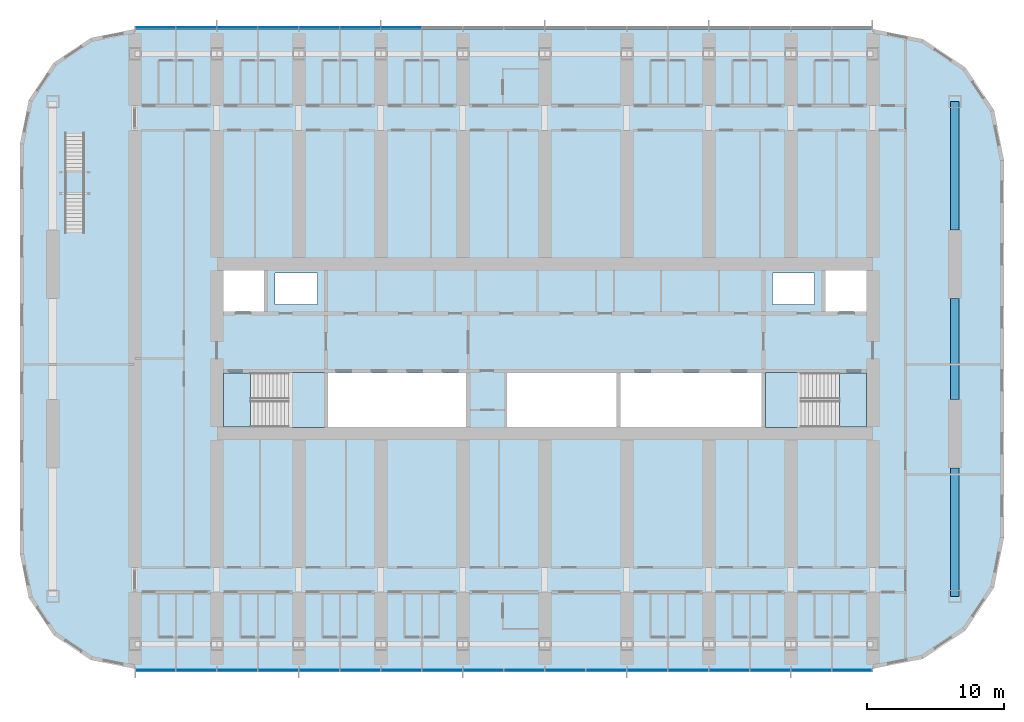
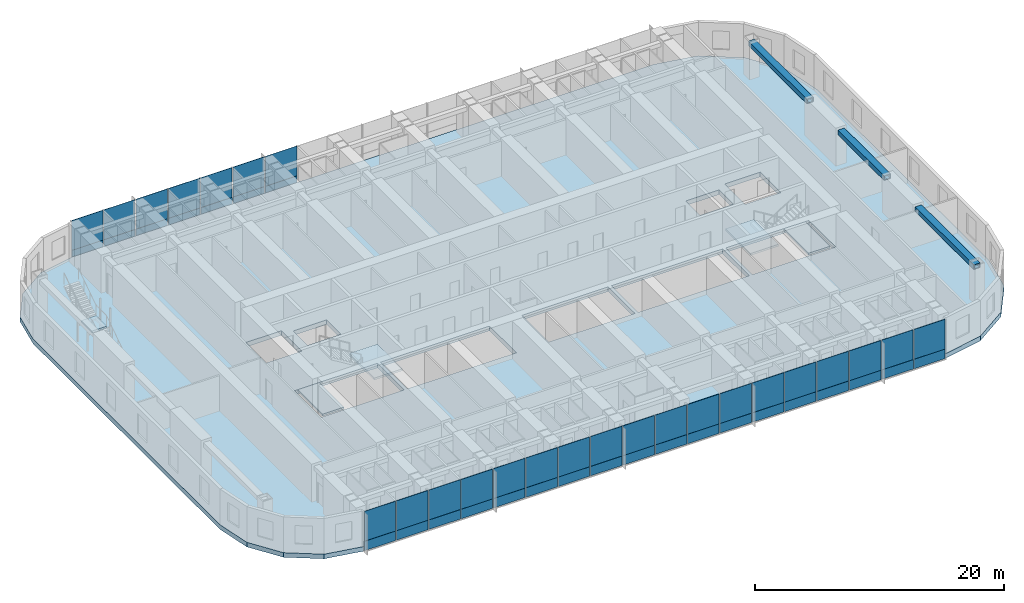
# One storey, part 8 of 26: 50 plates, 6 slabs, 3 beams, 5 elements without a shape of their own.
"""IFC4 building model written with IfcOpenShell, lengths in metres."""

from ifc_helpers import new_model, si_unit, direction, frame, origin, origin_2d, place, context, subcontext, project, spatial, polyline, rectangle, hollow_rectangle, outline, extrude, material, layer, layer_set, material_profile, profile_set, type_object, element, aggregate, save


model = new_model("IFC4")

# Units and contexts
model_context = context("Model", 3, precision=1e-05, world=origin(), true_north=direction((0.0, 1.0)))
body_context = subcontext(model_context, "Body", "Model", "MODEL_VIEW")
ifc_project = project(units=[si_unit("LENGTHUNIT", "METRE"), si_unit("AREAUNIT", "SQUARE_METRE"), si_unit("VOLUMEUNIT", "CUBIC_METRE"), si_unit("PLANEANGLEUNIT", "RADIAN"), si_unit("MASSUNIT", "GRAM", prefix="KILO")], contexts=[model_context])

# Site, building, storey
site_placement = place(None, origin())
site = spatial("IfcSite", under=ifc_project, at=site_placement, CompositionType="ELEMENT")
building_placement = place(site_placement, origin())
building = spatial("IfcBuilding", under=site, at=building_placement, Name="Orbita Commons", CompositionType="ELEMENT")
storey_placement = place(building_placement, frame((0.0, 0.0, 114.39990234375)))
storey = spatial("IfcBuildingStorey", under=building, at=storey_placement, Name="L28", CompositionType="ELEMENT", Elevation=114.39990234375)

# Beams
ifc_material_1 = material(Name="Steel ASTM A572 Gr 50 welded plate", Category="steel")
ifc_material_profile = material_profile(ifc_material_1, hollow_rectangle(XDim=0.60009765625, YDim=0.449951171875, WallThickness=0.06005859375, at=origin_2d()), Name="BOX 450x600x60")
ifc_profile_set = profile_set([ifc_material_profile], Name="Steel ASTM A572 Gr 50 welded plate")
beam_type = type_object("IfcBeamType", Name="Steel end frame link BOX 450x600x60", PredefinedType="BEAM", material=ifc_profile_set)
beam_1_placement = place(storey_placement, frame((72.0, 13.89990234375, 3.275146484375), z_axis=(0.0, 1.0, 0.0), x_axis=(-1.0, 0.0, 0.0)))
element("IfcBeam", 1, at=beam_1_placement, inside=storey, type_object=beam_type, Name="End frame beam 13 B-C L28", PredefinedType="BEAM", context=body_context, shape_type="SweptSolid", body=[
    extrude(hollow_rectangle(XDim=0.60009765625, YDim=0.449951171875, WallThickness=0.06005859375, at=origin_2d()), origin(), (0.0, 0.0, 1.0), 9.400146484375),
])
beam_2_placement = place(storey_placement, frame((72.0, 28.300048828125, 3.275146484375), z_axis=(0.0, 1.0, 0.0), x_axis=(-1.0, 0.0, 0.0)))
element("IfcBeam", 2, at=beam_2_placement, inside=storey, type_object=beam_type, Name="End frame beam 13 C-D L28", PredefinedType="BEAM", context=body_context, shape_type="SweptSolid", body=[
    extrude(hollow_rectangle(XDim=0.60009765625, YDim=0.449951171875, WallThickness=0.06005859375, at=origin_2d()), origin(), (0.0, 0.0, 1.0), 7.39990234375),
])
beam_3_placement = place(storey_placement, frame((72.0, 40.699951171875, 3.275146484375), z_axis=(0.0, 1.0, 0.0), x_axis=(-1.0, 0.0, 0.0)))
element("IfcBeam", 3, at=beam_3_placement, inside=storey, type_object=beam_type, Name="End frame beam 13 D-E L28", PredefinedType="BEAM", context=body_context, shape_type="SweptSolid", body=[
    extrude(hollow_rectangle(XDim=0.60009765625, YDim=0.449951171875, WallThickness=0.06005859375, at=origin_2d()), origin(), (0.0, 0.0, 1.0), 9.400146484375),
])

# Stair, slab
ifc_material_2 = material(Name="Steel ASTM A992 stringers, precast concrete C40/50 terrazzo treads", Category="concrete")
stair_type_1 = type_object("IfcStairType", Name="Feature stair 22 risers 170 x 280 x 1400", PredefinedType="STRAIGHT_RUN_STAIR", material=ifc_material_2)
stair_1_placement = place(storey_placement, origin())
stair_1 = element("IfcStair", 4, at=stair_1_placement, inside=storey, type_object=stair_type_1, Name="Neighbourhood stair L28 to L29", PredefinedType="STRAIGHT_RUN_STAIR")
ifc_material_3 = material(Name="Concrete C40/50", Category="concrete")
ifc_layer_1 = layer(ifc_material_3, 0.199951171875)
ifc_layer_set_1 = layer_set([ifc_layer_1], Name="Concrete C40/50")
slab_type_1 = type_object("IfcSlabType", Name="Feature stair landing 200", PredefinedType="LANDING", material=ifc_layer_set_1)
slab_1_placement = place(storey_placement, frame((0.0, 0.0, 1.675048828125)))
slab_1 = element("IfcSlab", 5, at=slab_1_placement, type_object=slab_type_1, Name="FS landing 1", PredefinedType="LANDING", context=body_context, shape_type="SweptSolid", body=[
    extrude(outline(polyline([(6.89990234375, 43.300048828125), (8.300048828125, 43.300048828125), (8.300048828125, 45.010009765625), (6.89990234375, 45.010009765625), (6.89990234375, 43.300048828125)])), origin(), (0.0, 0.0, 1.0), 0.199951171875),
])
aggregate(stair_1, [slab_1])

# Slab
ifc_material_4 = material(Name="Concrete C40/50", Category="concrete")
ifc_layer_2 = layer(ifc_material_4, 0.449951171875)
ifc_layer_set_2 = layer_set([ifc_layer_2], Name="Concrete C40/50")
slab_type_2 = type_object("IfcSlabType", Name="Floor slab 450", PredefinedType="FLOOR", material=ifc_layer_set_2)
slab_2_placement = place(storey_placement, frame((0.0, 0.0, -0.449951171875)))
element("IfcSlab", 6, at=slab_2_placement, inside=storey, type_object=slab_type_2, Name="Floor slab L28", PredefinedType="FLOOR", context=body_context, shape_type="SweptSolid", body=[
    extrude(outline(polyline([(66.0, 8.60009765625), (69.673828125, 9.330810546875), (72.788330078125, 11.411865234375), (74.869140625, 14.526123046875), (75.60009765625, 18.199951171875), (75.60009765625, 45.800048828125), (74.869140625, 49.473876953125), (72.788330078125, 52.588134765625), (69.673828125, 54.669189453125), (66.0, 55.39990234375), (12.0, 55.39990234375), (8.785400390625, 54.760498046875), (6.060302734375, 52.939697265625), (4.239501953125, 50.214599609375), (3.60009765625, 47.0), (3.60009765625, 17.0), (4.239501953125, 13.785400390625), (6.060302734375, 11.060302734375), (8.785400390625, 9.239501953125), (12.0, 8.60009765625), (66.0, 8.60009765625)]), holes=[polyline([(18.14990234375, 25.949951171875), (25.85009765625, 25.949951171875), (25.85009765625, 30.25), (18.14990234375, 30.25), (18.14990234375, 25.949951171875)]), polyline([(58.14990234375, 25.949951171875), (65.85009765625, 25.949951171875), (65.85009765625, 30.25), (58.14990234375, 30.25), (58.14990234375, 25.949951171875)]), polyline([(18.14990234375, 34.75), (21.449951171875, 34.75), (21.449951171875, 38.050048828125), (18.14990234375, 38.050048828125), (18.14990234375, 34.75)]), polyline([(62.550048828125, 34.75), (65.85009765625, 34.75), (65.85009765625, 38.050048828125), (62.550048828125, 38.050048828125), (62.550048828125, 34.75)]), polyline([(22.25, 35.25), (25.35009765625, 35.25), (25.35009765625, 37.550048828125), (22.25, 37.550048828125), (22.25, 35.25)]), polyline([(58.64990234375, 35.25), (61.75, 35.25), (61.75, 37.550048828125), (58.64990234375, 37.550048828125), (58.64990234375, 35.25)]), polyline([(26.14990234375, 25.949951171875), (36.25, 25.949951171875), (36.25, 30.25), (26.14990234375, 30.25), (26.14990234375, 25.949951171875)]), polyline([(39.25, 25.949951171875), (47.25, 25.949951171875), (47.25, 30.25), (39.25, 30.25), (39.25, 25.949951171875)]), polyline([(47.550048828125, 25.949951171875), (57.85009765625, 25.949951171875), (57.85009765625, 30.25), (47.550048828125, 30.25), (47.550048828125, 25.949951171875)])]), origin(), (0.0, 0.0, 1.0), 0.449951171875),
])

# Curtain wall, plates
ifc_material_5 = material(Name="Anodised aluminium frame, pale silver", Category="aluminium")
curtain_wall_type = type_object("IfcCurtainWallType", Name="Unitised curtain wall CW-T, vision and spandrel", PredefinedType="NOTDEFINED", material=ifc_material_5)
curtain_wall_1_placement = place(storey_placement, origin())
curtain_wall_1 = element("IfcCurtainWall", 7, at=curtain_wall_1_placement, inside=storey, type_object=curtain_wall_type, Name="Curtain wall south L28", PredefinedType="NOTDEFINED")
ifc_material_6 = material(Name="Anodised aluminium sheet on mineral wool", Category="aluminium")
ifc_layer_3 = layer(ifc_material_6, 0.050048828125)
ifc_layer_set_3 = layer_set([ifc_layer_3], Name="Anodised aluminium sheet on mineral wool")
plate_type_1 = type_object("IfcPlateType", Name="Spandrel panel, pale aluminium over insulation 50", PredefinedType="CURTAIN_PANEL", material=ifc_layer_set_3)
plate_1_placement = place(storey_placement, frame((13.52001953125, 8.489990234375, -0.35009765625), z_axis=(0.0, 0.0, 1.0), x_axis=(1.0, 0.0, 0.0)))
plate_1 = element("IfcPlate", 8, at=plate_1_placement, type_object=plate_type_1, Name="Panel 1.1 CW-L28-S", PredefinedType="CURTAIN_PANEL", context=body_context, shape_type="SweptSolid", body=[
    extrude(rectangle(XDim=2.8798828125, YDim=0.050048828125, at=origin_2d()), origin(), (0.0, 0.0, 1.0), 0.927001953125),
])
plate_2_placement = place(storey_placement, frame((16.5, 8.489990234375, -0.35009765625), z_axis=(0.0, 0.0, 1.0), x_axis=(1.0, 0.0, 0.0)))
plate_2 = element("IfcPlate", 9, at=plate_2_placement, type_object=plate_type_1, Name="Panel 2.1 CW-L28-S", PredefinedType="CURTAIN_PANEL", context=body_context, shape_type="SweptSolid", body=[
    extrude(rectangle(XDim=2.919921875, YDim=0.050048828125, at=origin_2d()), origin(), (0.0, 0.0, 1.0), 0.927001953125),
])
plate_3_placement = place(storey_placement, frame((19.5, 8.489990234375, -0.35009765625), z_axis=(0.0, 0.0, 1.0), x_axis=(1.0, 0.0, 0.0)))
plate_3 = element("IfcPlate", 10, at=plate_3_placement, type_object=plate_type_1, Name="Panel 3.1 CW-L28-S", PredefinedType="CURTAIN_PANEL", context=body_context, shape_type="SweptSolid", body=[
    extrude(rectangle(XDim=2.919921875, YDim=0.050048828125, at=origin_2d()), origin(), (0.0, 0.0, 1.0), 0.927001953125),
])
plate_4_placement = place(storey_placement, frame((22.5, 8.489990234375, -0.35009765625), z_axis=(0.0, 0.0, 1.0), x_axis=(1.0, 0.0, 0.0)))
plate_4 = element("IfcPlate", 11, at=plate_4_placement, type_object=plate_type_1, Name="Panel 4.1 CW-L28-S", PredefinedType="CURTAIN_PANEL", context=body_context, shape_type="SweptSolid", body=[
    extrude(rectangle(XDim=2.919921875, YDim=0.050048828125, at=origin_2d()), origin(), (0.0, 0.0, 1.0), 0.927001953125),
])
plate_5_placement = place(storey_placement, frame((25.5, 8.489990234375, -0.35009765625), z_axis=(0.0, 0.0, 1.0), x_axis=(1.0, 0.0, 0.0)))
plate_5 = element("IfcPlate", 12, at=plate_5_placement, type_object=plate_type_1, Name="Panel 5.1 CW-L28-S", PredefinedType="CURTAIN_PANEL", context=body_context, shape_type="SweptSolid", body=[
    extrude(rectangle(XDim=2.919921875, YDim=0.050048828125, at=origin_2d()), origin(), (0.0, 0.0, 1.0), 0.927001953125),
])
plate_6_placement = place(storey_placement, frame((28.5, 8.489990234375, -0.35009765625), z_axis=(0.0, 0.0, 1.0), x_axis=(1.0, 0.0, 0.0)))
plate_6 = element("IfcPlate", 13, at=plate_6_placement, type_object=plate_type_1, Name="Panel 6.1 CW-L28-S", PredefinedType="CURTAIN_PANEL", context=body_context, shape_type="SweptSolid", body=[
    extrude(rectangle(XDim=2.919921875, YDim=0.050048828125, at=origin_2d()), origin(), (0.0, 0.0, 1.0), 0.927001953125),
])
plate_7_placement = place(storey_placement, frame((31.5, 8.489990234375, -0.35009765625), z_axis=(0.0, 0.0, 1.0), x_axis=(1.0, 0.0, 0.0)))
plate_7 = element("IfcPlate", 14, at=plate_7_placement, type_object=plate_type_1, Name="Panel 7.1 CW-L28-S", PredefinedType="CURTAIN_PANEL", context=body_context, shape_type="SweptSolid", body=[
    extrude(rectangle(XDim=2.919921875, YDim=0.050048828125, at=origin_2d()), origin(), (0.0, 0.0, 1.0), 0.927001953125),
])
plate_8_placement = place(storey_placement, frame((34.5, 8.489990234375, -0.35009765625), z_axis=(0.0, 0.0, 1.0), x_axis=(1.0, 0.0, 0.0)))
plate_8 = element("IfcPlate", 15, at=plate_8_placement, type_object=plate_type_1, Name="Panel 8.1 CW-L28-S", PredefinedType="CURTAIN_PANEL", context=body_context, shape_type="SweptSolid", body=[
    extrude(rectangle(XDim=2.919921875, YDim=0.050048828125, at=origin_2d()), origin(), (0.0, 0.0, 1.0), 0.927001953125),
])
plate_9_placement = place(storey_placement, frame((37.5, 8.489990234375, -0.35009765625), z_axis=(0.0, 0.0, 1.0), x_axis=(1.0, 0.0, 0.0)))
plate_9 = element("IfcPlate", 16, at=plate_9_placement, type_object=plate_type_1, Name="Panel 9.1 CW-L28-S", PredefinedType="CURTAIN_PANEL", context=body_context, shape_type="SweptSolid", body=[
    extrude(rectangle(XDim=2.919921875, YDim=0.050048828125, at=origin_2d()), origin(), (0.0, 0.0, 1.0), 0.927001953125),
])
plate_10_placement = place(storey_placement, frame((40.5, 8.489990234375, -0.35009765625), z_axis=(0.0, 0.0, 1.0), x_axis=(1.0, 0.0, 0.0)))
plate_10 = element("IfcPlate", 17, at=plate_10_placement, type_object=plate_type_1, Name="Panel 10.1 CW-L28-S", PredefinedType="CURTAIN_PANEL", context=body_context, shape_type="SweptSolid", body=[
    extrude(rectangle(XDim=2.919921875, YDim=0.050048828125, at=origin_2d()), origin(), (0.0, 0.0, 1.0), 0.927001953125),
])
plate_11_placement = place(storey_placement, frame((43.5, 8.489990234375, -0.35009765625), z_axis=(0.0, 0.0, 1.0), x_axis=(1.0, 0.0, 0.0)))
plate_11 = element("IfcPlate", 18, at=plate_11_placement, type_object=plate_type_1, Name="Panel 11.1 CW-L28-S", PredefinedType="CURTAIN_PANEL", context=body_context, shape_type="SweptSolid", body=[
    extrude(rectangle(XDim=2.919921875, YDim=0.050048828125, at=origin_2d()), origin(), (0.0, 0.0, 1.0), 0.927001953125),
])
plate_12_placement = place(storey_placement, frame((46.5, 8.489990234375, -0.35009765625), z_axis=(0.0, 0.0, 1.0), x_axis=(1.0, 0.0, 0.0)))
plate_12 = element("IfcPlate", 19, at=plate_12_placement, type_object=plate_type_1, Name="Panel 12.1 CW-L28-S", PredefinedType="CURTAIN_PANEL", context=body_context, shape_type="SweptSolid", body=[
    extrude(rectangle(XDim=2.919921875, YDim=0.050048828125, at=origin_2d()), origin(), (0.0, 0.0, 1.0), 0.927001953125),
])
plate_13_placement = place(storey_placement, frame((49.5, 8.489990234375, -0.35009765625), z_axis=(0.0, 0.0, 1.0), x_axis=(1.0, 0.0, 0.0)))
plate_13 = element("IfcPlate", 20, at=plate_13_placement, type_object=plate_type_1, Name="Panel 13.1 CW-L28-S", PredefinedType="CURTAIN_PANEL", context=body_context, shape_type="SweptSolid", body=[
    extrude(rectangle(XDim=2.919921875, YDim=0.050048828125, at=origin_2d()), origin(), (0.0, 0.0, 1.0), 0.927001953125),
])
plate_14_placement = place(storey_placement, frame((52.5, 8.489990234375, -0.35009765625), z_axis=(0.0, 0.0, 1.0), x_axis=(1.0, 0.0, 0.0)))
plate_14 = element("IfcPlate", 21, at=plate_14_placement, type_object=plate_type_1, Name="Panel 14.1 CW-L28-S", PredefinedType="CURTAIN_PANEL", context=body_context, shape_type="SweptSolid", body=[
    extrude(rectangle(XDim=2.919921875, YDim=0.050048828125, at=origin_2d()), origin(), (0.0, 0.0, 1.0), 0.927001953125),
])
plate_15_placement = place(storey_placement, frame((55.5, 8.489990234375, -0.35009765625), z_axis=(0.0, 0.0, 1.0), x_axis=(1.0, 0.0, 0.0)))
plate_15 = element("IfcPlate", 22, at=plate_15_placement, type_object=plate_type_1, Name="Panel 15.1 CW-L28-S", PredefinedType="CURTAIN_PANEL", context=body_context, shape_type="SweptSolid", body=[
    extrude(rectangle(XDim=2.919921875, YDim=0.050048828125, at=origin_2d()), origin(), (0.0, 0.0, 1.0), 0.927001953125),
])
plate_16_placement = place(storey_placement, frame((58.5, 8.489990234375, -0.35009765625), z_axis=(0.0, 0.0, 1.0), x_axis=(1.0, 0.0, 0.0)))
plate_16 = element("IfcPlate", 23, at=plate_16_placement, type_object=plate_type_1, Name="Panel 16.1 CW-L28-S", PredefinedType="CURTAIN_PANEL", context=body_context, shape_type="SweptSolid", body=[
    extrude(rectangle(XDim=2.919921875, YDim=0.050048828125, at=origin_2d()), origin(), (0.0, 0.0, 1.0), 0.927001953125),
])
plate_17_placement = place(storey_placement, frame((61.5, 8.489990234375, -0.35009765625), z_axis=(0.0, 0.0, 1.0), x_axis=(1.0, 0.0, 0.0)))
plate_17 = element("IfcPlate", 24, at=plate_17_placement, type_object=plate_type_1, Name="Panel 17.1 CW-L28-S", PredefinedType="CURTAIN_PANEL", context=body_context, shape_type="SweptSolid", body=[
    extrude(rectangle(XDim=2.919921875, YDim=0.050048828125, at=origin_2d()), origin(), (0.0, 0.0, 1.0), 0.927001953125),
])
plate_18_placement = place(storey_placement, frame((64.47998046875, 8.489990234375, -0.35009765625), z_axis=(0.0, 0.0, 1.0), x_axis=(1.0, 0.0, 0.0)))
plate_18 = element("IfcPlate", 25, at=plate_18_placement, type_object=plate_type_1, Name="Panel 18.1 CW-L28-S", PredefinedType="CURTAIN_PANEL", context=body_context, shape_type="SweptSolid", body=[
    extrude(rectangle(XDim=2.8798828125, YDim=0.050048828125, at=origin_2d()), origin(), (0.0, 0.0, 1.0), 0.927001953125),
])

curtain_wall_2_placement = place(storey_placement, origin())
curtain_wall_2 = element("IfcCurtainWall", 26, at=curtain_wall_2_placement, inside=storey, type_object=curtain_wall_type, Name="Curtain wall north L28", PredefinedType="NOTDEFINED")
plate_19_placement = place(storey_placement, frame((31.5, 55.510009765625, -0.35009765625), z_axis=(0.0, 0.0, 1.0), x_axis=(-1.0, 0.0, 0.0)))
plate_19 = element("IfcPlate", 27, at=plate_19_placement, type_object=plate_type_1, Name="Panel 12.1 CW-L28-N", PredefinedType="CURTAIN_PANEL", context=body_context, shape_type="SweptSolid", body=[
    extrude(rectangle(XDim=2.919921875, YDim=0.050048828125, at=origin_2d()), origin(), (0.0, 0.0, 1.0), 0.927001953125),
])
plate_20_placement = place(storey_placement, frame((28.5, 55.510009765625, -0.35009765625), z_axis=(0.0, 0.0, 1.0), x_axis=(-1.0, 0.0, 0.0)))
plate_20 = element("IfcPlate", 28, at=plate_20_placement, type_object=plate_type_1, Name="Panel 13.1 CW-L28-N", PredefinedType="CURTAIN_PANEL", context=body_context, shape_type="SweptSolid", body=[
    extrude(rectangle(XDim=2.919921875, YDim=0.050048828125, at=origin_2d()), origin(), (0.0, 0.0, 1.0), 0.927001953125),
])
plate_21_placement = place(storey_placement, frame((25.5, 55.510009765625, -0.35009765625), z_axis=(0.0, 0.0, 1.0), x_axis=(-1.0, 0.0, 0.0)))
plate_21 = element("IfcPlate", 29, at=plate_21_placement, type_object=plate_type_1, Name="Panel 14.1 CW-L28-N", PredefinedType="CURTAIN_PANEL", context=body_context, shape_type="SweptSolid", body=[
    extrude(rectangle(XDim=2.919921875, YDim=0.050048828125, at=origin_2d()), origin(), (0.0, 0.0, 1.0), 0.927001953125),
])
plate_22_placement = place(storey_placement, frame((22.5, 55.510009765625, -0.35009765625), z_axis=(0.0, 0.0, 1.0), x_axis=(-1.0, 0.0, 0.0)))
plate_22 = element("IfcPlate", 30, at=plate_22_placement, type_object=plate_type_1, Name="Panel 15.1 CW-L28-N", PredefinedType="CURTAIN_PANEL", context=body_context, shape_type="SweptSolid", body=[
    extrude(rectangle(XDim=2.919921875, YDim=0.050048828125, at=origin_2d()), origin(), (0.0, 0.0, 1.0), 0.927001953125),
])
plate_23_placement = place(storey_placement, frame((19.5, 55.510009765625, -0.35009765625), z_axis=(0.0, 0.0, 1.0), x_axis=(-1.0, 0.0, 0.0)))
plate_23 = element("IfcPlate", 31, at=plate_23_placement, type_object=plate_type_1, Name="Panel 16.1 CW-L28-N", PredefinedType="CURTAIN_PANEL", context=body_context, shape_type="SweptSolid", body=[
    extrude(rectangle(XDim=2.919921875, YDim=0.050048828125, at=origin_2d()), origin(), (0.0, 0.0, 1.0), 0.927001953125),
])
plate_24_placement = place(storey_placement, frame((16.5, 55.510009765625, -0.35009765625), z_axis=(0.0, 0.0, 1.0), x_axis=(-1.0, 0.0, 0.0)))
plate_24 = element("IfcPlate", 32, at=plate_24_placement, type_object=plate_type_1, Name="Panel 17.1 CW-L28-N", PredefinedType="CURTAIN_PANEL", context=body_context, shape_type="SweptSolid", body=[
    extrude(rectangle(XDim=2.919921875, YDim=0.050048828125, at=origin_2d()), origin(), (0.0, 0.0, 1.0), 0.927001953125),
])
plate_25_placement = place(storey_placement, frame((13.52001953125, 55.510009765625, -0.35009765625), z_axis=(0.0, 0.0, 1.0), x_axis=(-1.0, 0.0, 0.0)))
plate_25 = element("IfcPlate", 33, at=plate_25_placement, type_object=plate_type_1, Name="Panel 18.1 CW-L28-N", PredefinedType="CURTAIN_PANEL", context=body_context, shape_type="SweptSolid", body=[
    extrude(rectangle(XDim=2.8798828125, YDim=0.050048828125, at=origin_2d()), origin(), (0.0, 0.0, 1.0), 0.927001953125),
])

# Stair, slabs
ifc_material_7 = material(Name="Precast concrete C40/50", Category="concrete")
stair_type_2 = type_object("IfcStairType", Name="Exit stair S1 2 flights 11 risers 170", PredefinedType="HALF_TURN_STAIR", material=ifc_material_7)
stair_2_placement = place(storey_placement, origin())
stair_2 = element("IfcStair", 34, at=stair_2_placement, inside=storey, type_object=stair_type_2, Name="Exit stair S1 L28", PredefinedType="HALF_TURN_STAIR")
ifc_material_8 = material(Name="Concrete C40/50", Category="concrete")
ifc_layer_4 = layer(ifc_material_8, 0.199951171875)
ifc_layer_set_4 = layer_set([ifc_layer_4], Name="Concrete C40/50")
slab_type_3 = type_object("IfcSlabType", Name="Stair landing 200", PredefinedType="LANDING", material=ifc_layer_set_4)
slab_3_placement = place(storey_placement, frame((0.0, 0.0, -0.199951171875)))
slab_3 = element("IfcSlab", 35, at=slab_3_placement, type_object=slab_type_3, Name="S1 landing 1", PredefinedType="LANDING", context=body_context, shape_type="SweptSolid", body=[
    extrude(outline(polyline([(18.47509765625, 26.27490234375), (20.449951171875, 26.27490234375), (20.449951171875, 30.25), (18.47509765625, 30.25), (18.47509765625, 26.27490234375)])), origin(), (0.0, 0.0, 1.0), 0.199951171875),
])
slab_4_placement = place(storey_placement, frame((0.0, 0.0, 1.675048828125)))
slab_4 = element("IfcSlab", 36, at=slab_4_placement, type_object=slab_type_3, Name="S1 landing 2", PredefinedType="LANDING", context=body_context, shape_type="SweptSolid", body=[
    extrude(outline(polyline([(23.25, 26.260009765625), (25.864990234375, 26.260009765625), (25.864990234375, 30.264892578125), (23.25, 30.264892578125), (23.25, 26.260009765625)])), origin(), (0.0, 0.0, 1.0), 0.199951171875),
])
aggregate(stair_2, [slab_3, slab_4])

ifc_material_9 = material(Name="Precast concrete C40/50", Category="concrete")
stair_type_3 = type_object("IfcStairType", Name="Exit stair S2 2 flights 11 risers 170", PredefinedType="HALF_TURN_STAIR", material=ifc_material_9)
stair_3_placement = place(storey_placement, origin())
stair_3 = element("IfcStair", 37, at=stair_3_placement, inside=storey, type_object=stair_type_3, Name="Exit stair S2 L28", PredefinedType="HALF_TURN_STAIR")
slab_5_placement = place(storey_placement, frame((0.0, 0.0, -0.199951171875)))
slab_5 = element("IfcSlab", 38, at=slab_5_placement, type_object=slab_type_3, Name="S2 landing 1", PredefinedType="LANDING", context=body_context, shape_type="SweptSolid", body=[
    extrude(outline(polyline([(63.550048828125, 26.27490234375), (65.52490234375, 26.27490234375), (65.52490234375, 30.25), (63.550048828125, 30.25), (63.550048828125, 26.27490234375)])), origin(), (0.0, 0.0, 1.0), 0.199951171875),
])
slab_6_placement = place(storey_placement, frame((0.0, 0.0, 1.675048828125)))
slab_6 = element("IfcSlab", 39, at=slab_6_placement, type_object=slab_type_3, Name="S2 landing 2", PredefinedType="LANDING", context=body_context, shape_type="SweptSolid", body=[
    extrude(outline(polyline([(58.135009765625, 26.260009765625), (60.75, 26.260009765625), (60.75, 30.264892578125), (58.135009765625, 30.264892578125), (58.135009765625, 26.260009765625)])), origin(), (0.0, 0.0, 1.0), 0.199951171875),
])
aggregate(stair_3, [slab_5, slab_6])

# Plate
ifc_material_10 = material(Name="Clear double glazing", Category="glass")
ifc_layer_5 = layer(ifc_material_10, 0.031982421875)
ifc_layer_set_5 = layer_set([ifc_layer_5], Name="Clear double glazing")
plate_type_2 = type_object("IfcPlateType", Name="Vision panel, clear double glazing 32", PredefinedType="CURTAIN_PANEL", material=ifc_layer_set_5)
plate_26_placement = place(storey_placement, frame((13.52001953125, 8.489990234375, 0.5771484375), z_axis=(0.0, 0.0, 1.0), x_axis=(1.0, 0.0, 0.0)))
plate_26 = element("IfcPlate", 40, at=plate_26_placement, type_object=plate_type_2, Name="Panel 1.2 CW-L28-S", PredefinedType="CURTAIN_PANEL", context=body_context, shape_type="SweptSolid", body=[
    extrude(rectangle(XDim=2.8798828125, YDim=0.031982421875, at=origin_2d()), origin(), (0.0, 0.0, 1.0), 2.923095703125),
])

plate_27_placement = place(storey_placement, frame((16.5, 8.489990234375, 0.5771484375), z_axis=(0.0, 0.0, 1.0), x_axis=(1.0, 0.0, 0.0)))
plate_27 = element("IfcPlate", 41, at=plate_27_placement, type_object=plate_type_2, Name="Panel 2.2 CW-L28-S", PredefinedType="CURTAIN_PANEL", context=body_context, shape_type="SweptSolid", body=[
    extrude(rectangle(XDim=2.919921875, YDim=0.031982421875, at=origin_2d()), origin(), (0.0, 0.0, 1.0), 2.923095703125),
])

plate_28_placement = place(storey_placement, frame((19.5, 8.489990234375, 0.5771484375), z_axis=(0.0, 0.0, 1.0), x_axis=(1.0, 0.0, 0.0)))
plate_28 = element("IfcPlate", 42, at=plate_28_placement, type_object=plate_type_2, Name="Panel 3.2 CW-L28-S", PredefinedType="CURTAIN_PANEL", context=body_context, shape_type="SweptSolid", body=[
    extrude(rectangle(XDim=2.919921875, YDim=0.031982421875, at=origin_2d()), origin(), (0.0, 0.0, 1.0), 2.923095703125),
])

plate_29_placement = place(storey_placement, frame((22.5, 8.489990234375, 0.5771484375), z_axis=(0.0, 0.0, 1.0), x_axis=(1.0, 0.0, 0.0)))
plate_29 = element("IfcPlate", 43, at=plate_29_placement, type_object=plate_type_2, Name="Panel 4.2 CW-L28-S", PredefinedType="CURTAIN_PANEL", context=body_context, shape_type="SweptSolid", body=[
    extrude(rectangle(XDim=2.919921875, YDim=0.031982421875, at=origin_2d()), origin(), (0.0, 0.0, 1.0), 2.923095703125),
])

plate_30_placement = place(storey_placement, frame((25.5, 8.489990234375, 0.5771484375), z_axis=(0.0, 0.0, 1.0), x_axis=(1.0, 0.0, 0.0)))
plate_30 = element("IfcPlate", 44, at=plate_30_placement, type_object=plate_type_2, Name="Panel 5.2 CW-L28-S", PredefinedType="CURTAIN_PANEL", context=body_context, shape_type="SweptSolid", body=[
    extrude(rectangle(XDim=2.919921875, YDim=0.031982421875, at=origin_2d()), origin(), (0.0, 0.0, 1.0), 2.923095703125),
])

plate_31_placement = place(storey_placement, frame((28.5, 8.489990234375, 0.5771484375), z_axis=(0.0, 0.0, 1.0), x_axis=(1.0, 0.0, 0.0)))
plate_31 = element("IfcPlate", 45, at=plate_31_placement, type_object=plate_type_2, Name="Panel 6.2 CW-L28-S", PredefinedType="CURTAIN_PANEL", context=body_context, shape_type="SweptSolid", body=[
    extrude(rectangle(XDim=2.919921875, YDim=0.031982421875, at=origin_2d()), origin(), (0.0, 0.0, 1.0), 2.923095703125),
])

plate_32_placement = place(storey_placement, frame((31.5, 8.489990234375, 0.5771484375), z_axis=(0.0, 0.0, 1.0), x_axis=(1.0, 0.0, 0.0)))
plate_32 = element("IfcPlate", 46, at=plate_32_placement, type_object=plate_type_2, Name="Panel 7.2 CW-L28-S", PredefinedType="CURTAIN_PANEL", context=body_context, shape_type="SweptSolid", body=[
    extrude(rectangle(XDim=2.919921875, YDim=0.031982421875, at=origin_2d()), origin(), (0.0, 0.0, 1.0), 2.923095703125),
])

plate_33_placement = place(storey_placement, frame((34.5, 8.489990234375, 0.5771484375), z_axis=(0.0, 0.0, 1.0), x_axis=(1.0, 0.0, 0.0)))
plate_33 = element("IfcPlate", 47, at=plate_33_placement, type_object=plate_type_2, Name="Panel 8.2 CW-L28-S", PredefinedType="CURTAIN_PANEL", context=body_context, shape_type="SweptSolid", body=[
    extrude(rectangle(XDim=2.919921875, YDim=0.031982421875, at=origin_2d()), origin(), (0.0, 0.0, 1.0), 2.923095703125),
])

plate_34_placement = place(storey_placement, frame((37.5, 8.489990234375, 0.5771484375), z_axis=(0.0, 0.0, 1.0), x_axis=(1.0, 0.0, 0.0)))
plate_34 = element("IfcPlate", 48, at=plate_34_placement, type_object=plate_type_2, Name="Panel 9.2 CW-L28-S", PredefinedType="CURTAIN_PANEL", context=body_context, shape_type="SweptSolid", body=[
    extrude(rectangle(XDim=2.919921875, YDim=0.031982421875, at=origin_2d()), origin(), (0.0, 0.0, 1.0), 2.923095703125),
])

plate_35_placement = place(storey_placement, frame((40.5, 8.489990234375, 0.5771484375), z_axis=(0.0, 0.0, 1.0), x_axis=(1.0, 0.0, 0.0)))
plate_35 = element("IfcPlate", 49, at=plate_35_placement, type_object=plate_type_2, Name="Panel 10.2 CW-L28-S", PredefinedType="CURTAIN_PANEL", context=body_context, shape_type="SweptSolid", body=[
    extrude(rectangle(XDim=2.919921875, YDim=0.031982421875, at=origin_2d()), origin(), (0.0, 0.0, 1.0), 2.923095703125),
])

plate_36_placement = place(storey_placement, frame((43.5, 8.489990234375, 0.5771484375), z_axis=(0.0, 0.0, 1.0), x_axis=(1.0, 0.0, 0.0)))
plate_36 = element("IfcPlate", 50, at=plate_36_placement, type_object=plate_type_2, Name="Panel 11.2 CW-L28-S", PredefinedType="CURTAIN_PANEL", context=body_context, shape_type="SweptSolid", body=[
    extrude(rectangle(XDim=2.919921875, YDim=0.031982421875, at=origin_2d()), origin(), (0.0, 0.0, 1.0), 2.923095703125),
])

plate_37_placement = place(storey_placement, frame((46.5, 8.489990234375, 0.5771484375), z_axis=(0.0, 0.0, 1.0), x_axis=(1.0, 0.0, 0.0)))
plate_37 = element("IfcPlate", 51, at=plate_37_placement, type_object=plate_type_2, Name="Panel 12.2 CW-L28-S", PredefinedType="CURTAIN_PANEL", context=body_context, shape_type="SweptSolid", body=[
    extrude(rectangle(XDim=2.919921875, YDim=0.031982421875, at=origin_2d()), origin(), (0.0, 0.0, 1.0), 2.923095703125),
])

plate_38_placement = place(storey_placement, frame((49.5, 8.489990234375, 0.5771484375), z_axis=(0.0, 0.0, 1.0), x_axis=(1.0, 0.0, 0.0)))
plate_38 = element("IfcPlate", 52, at=plate_38_placement, type_object=plate_type_2, Name="Panel 13.2 CW-L28-S", PredefinedType="CURTAIN_PANEL", context=body_context, shape_type="SweptSolid", body=[
    extrude(rectangle(XDim=2.919921875, YDim=0.031982421875, at=origin_2d()), origin(), (0.0, 0.0, 1.0), 2.923095703125),
])

plate_39_placement = place(storey_placement, frame((52.5, 8.489990234375, 0.5771484375), z_axis=(0.0, 0.0, 1.0), x_axis=(1.0, 0.0, 0.0)))
plate_39 = element("IfcPlate", 53, at=plate_39_placement, type_object=plate_type_2, Name="Panel 14.2 CW-L28-S", PredefinedType="CURTAIN_PANEL", context=body_context, shape_type="SweptSolid", body=[
    extrude(rectangle(XDim=2.919921875, YDim=0.031982421875, at=origin_2d()), origin(), (0.0, 0.0, 1.0), 2.923095703125),
])

plate_40_placement = place(storey_placement, frame((55.5, 8.489990234375, 0.5771484375), z_axis=(0.0, 0.0, 1.0), x_axis=(1.0, 0.0, 0.0)))
plate_40 = element("IfcPlate", 54, at=plate_40_placement, type_object=plate_type_2, Name="Panel 15.2 CW-L28-S", PredefinedType="CURTAIN_PANEL", context=body_context, shape_type="SweptSolid", body=[
    extrude(rectangle(XDim=2.919921875, YDim=0.031982421875, at=origin_2d()), origin(), (0.0, 0.0, 1.0), 2.923095703125),
])

plate_41_placement = place(storey_placement, frame((58.5, 8.489990234375, 0.5771484375), z_axis=(0.0, 0.0, 1.0), x_axis=(1.0, 0.0, 0.0)))
plate_41 = element("IfcPlate", 55, at=plate_41_placement, type_object=plate_type_2, Name="Panel 16.2 CW-L28-S", PredefinedType="CURTAIN_PANEL", context=body_context, shape_type="SweptSolid", body=[
    extrude(rectangle(XDim=2.919921875, YDim=0.031982421875, at=origin_2d()), origin(), (0.0, 0.0, 1.0), 2.923095703125),
])

plate_42_placement = place(storey_placement, frame((61.5, 8.489990234375, 0.5771484375), z_axis=(0.0, 0.0, 1.0), x_axis=(1.0, 0.0, 0.0)))
plate_42 = element("IfcPlate", 56, at=plate_42_placement, type_object=plate_type_2, Name="Panel 17.2 CW-L28-S", PredefinedType="CURTAIN_PANEL", context=body_context, shape_type="SweptSolid", body=[
    extrude(rectangle(XDim=2.919921875, YDim=0.031982421875, at=origin_2d()), origin(), (0.0, 0.0, 1.0), 2.923095703125),
])

plate_43_placement = place(storey_placement, frame((64.47998046875, 8.489990234375, 0.5771484375), z_axis=(0.0, 0.0, 1.0), x_axis=(1.0, 0.0, 0.0)))
plate_43 = element("IfcPlate", 57, at=plate_43_placement, type_object=plate_type_2, Name="Panel 18.2 CW-L28-S", PredefinedType="CURTAIN_PANEL", context=body_context, shape_type="SweptSolid", body=[
    extrude(rectangle(XDim=2.8798828125, YDim=0.031982421875, at=origin_2d()), origin(), (0.0, 0.0, 1.0), 2.923095703125),
])

aggregate(curtain_wall_1, [plate_1, plate_26, plate_2, plate_27, plate_3, plate_28, plate_4, plate_29, plate_5, plate_30, plate_6, plate_31, plate_7, plate_32, plate_8, plate_33, plate_9, plate_34, plate_10, plate_35, plate_11, plate_36, plate_12, plate_37, plate_13, plate_38, plate_14, plate_39, plate_15, plate_40, plate_16, plate_41, plate_17, plate_42, plate_18, plate_43])

plate_44_placement = place(storey_placement, frame((31.5, 55.510009765625, 0.5771484375), z_axis=(0.0, 0.0, 1.0), x_axis=(-1.0, 0.0, 0.0)))
plate_44 = element("IfcPlate", 58, at=plate_44_placement, type_object=plate_type_2, Name="Panel 12.2 CW-L28-N", PredefinedType="CURTAIN_PANEL", context=body_context, shape_type="SweptSolid", body=[
    extrude(rectangle(XDim=2.919921875, YDim=0.031982421875, at=origin_2d()), origin(), (0.0, 0.0, 1.0), 2.923095703125),
])

plate_45_placement = place(storey_placement, frame((28.5, 55.510009765625, 0.5771484375), z_axis=(0.0, 0.0, 1.0), x_axis=(-1.0, 0.0, 0.0)))
plate_45 = element("IfcPlate", 59, at=plate_45_placement, type_object=plate_type_2, Name="Panel 13.2 CW-L28-N", PredefinedType="CURTAIN_PANEL", context=body_context, shape_type="SweptSolid", body=[
    extrude(rectangle(XDim=2.919921875, YDim=0.031982421875, at=origin_2d()), origin(), (0.0, 0.0, 1.0), 2.923095703125),
])

plate_46_placement = place(storey_placement, frame((25.5, 55.510009765625, 0.5771484375), z_axis=(0.0, 0.0, 1.0), x_axis=(-1.0, 0.0, 0.0)))
plate_46 = element("IfcPlate", 60, at=plate_46_placement, type_object=plate_type_2, Name="Panel 14.2 CW-L28-N", PredefinedType="CURTAIN_PANEL", context=body_context, shape_type="SweptSolid", body=[
    extrude(rectangle(XDim=2.919921875, YDim=0.031982421875, at=origin_2d()), origin(), (0.0, 0.0, 1.0), 2.923095703125),
])

plate_47_placement = place(storey_placement, frame((22.5, 55.510009765625, 0.5771484375), z_axis=(0.0, 0.0, 1.0), x_axis=(-1.0, 0.0, 0.0)))
plate_47 = element("IfcPlate", 61, at=plate_47_placement, type_object=plate_type_2, Name="Panel 15.2 CW-L28-N", PredefinedType="CURTAIN_PANEL", context=body_context, shape_type="SweptSolid", body=[
    extrude(rectangle(XDim=2.919921875, YDim=0.031982421875, at=origin_2d()), origin(), (0.0, 0.0, 1.0), 2.923095703125),
])

plate_48_placement = place(storey_placement, frame((19.5, 55.510009765625, 0.5771484375), z_axis=(0.0, 0.0, 1.0), x_axis=(-1.0, 0.0, 0.0)))
plate_48 = element("IfcPlate", 62, at=plate_48_placement, type_object=plate_type_2, Name="Panel 16.2 CW-L28-N", PredefinedType="CURTAIN_PANEL", context=body_context, shape_type="SweptSolid", body=[
    extrude(rectangle(XDim=2.919921875, YDim=0.031982421875, at=origin_2d()), origin(), (0.0, 0.0, 1.0), 2.923095703125),
])

plate_49_placement = place(storey_placement, frame((16.5, 55.510009765625, 0.5771484375), z_axis=(0.0, 0.0, 1.0), x_axis=(-1.0, 0.0, 0.0)))
plate_49 = element("IfcPlate", 63, at=plate_49_placement, type_object=plate_type_2, Name="Panel 17.2 CW-L28-N", PredefinedType="CURTAIN_PANEL", context=body_context, shape_type="SweptSolid", body=[
    extrude(rectangle(XDim=2.919921875, YDim=0.031982421875, at=origin_2d()), origin(), (0.0, 0.0, 1.0), 2.923095703125),
])

plate_50_placement = place(storey_placement, frame((13.52001953125, 55.510009765625, 0.5771484375), z_axis=(0.0, 0.0, 1.0), x_axis=(-1.0, 0.0, 0.0)))
plate_50 = element("IfcPlate", 64, at=plate_50_placement, type_object=plate_type_2, Name="Panel 18.2 CW-L28-N", PredefinedType="CURTAIN_PANEL", context=body_context, shape_type="SweptSolid", body=[
    extrude(rectangle(XDim=2.8798828125, YDim=0.031982421875, at=origin_2d()), origin(), (0.0, 0.0, 1.0), 2.923095703125),
])

aggregate(curtain_wall_2, [plate_19, plate_44, plate_20, plate_45, plate_21, plate_46, plate_22, plate_47, plate_23, plate_48, plate_24, plate_49, plate_25, plate_50])

save(model, "model.ifc")
